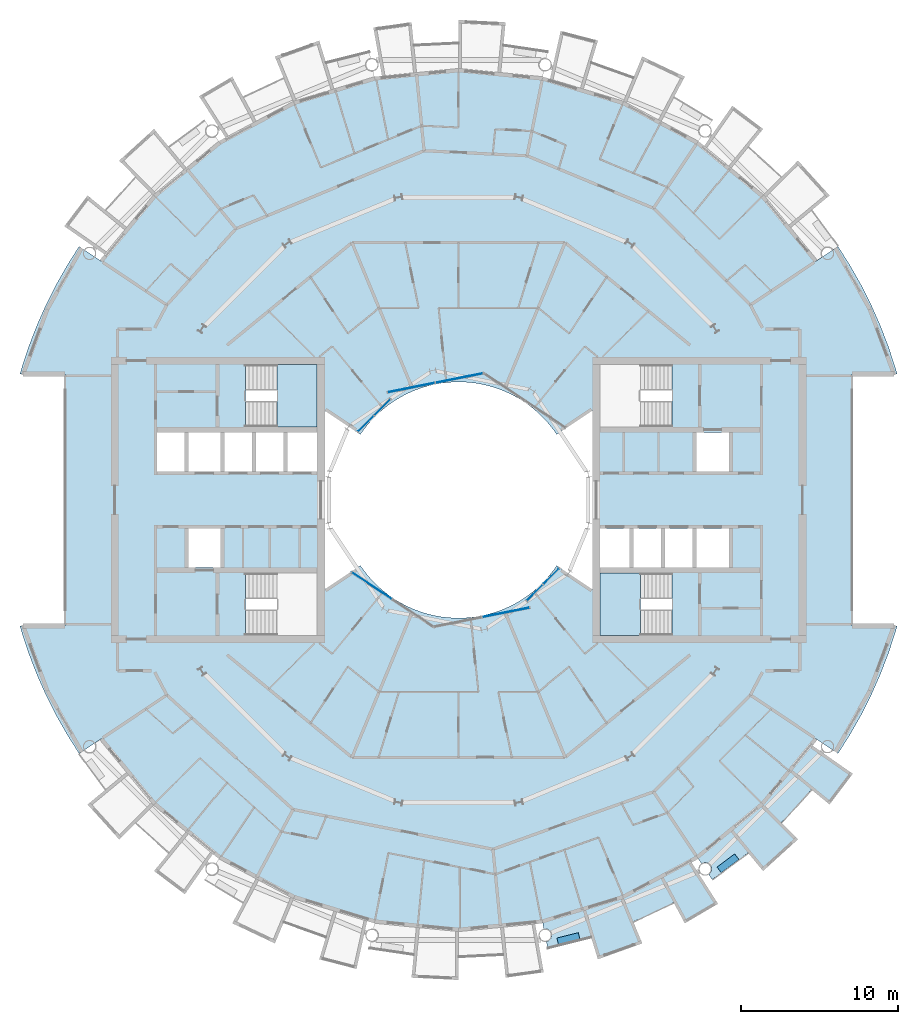
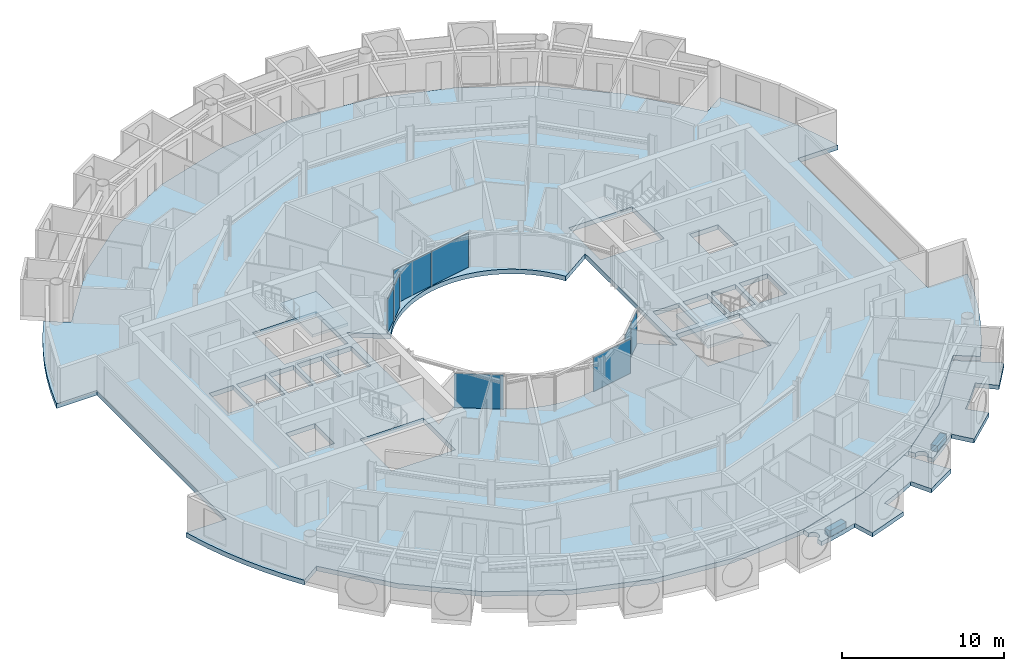
# One storey, part 11 of 28: 8 plates, 7 slabs, 7 elements without a shape of their own.
"""IFC4 building model written with IfcOpenShell, lengths in metres."""

from ifc_helpers import new_model, si_unit, direction, frame, origin, origin_2d, place, context, subcontext, project, spatial, polyline, rectangle, outline, extrude, material, layer, layer_set, type_object, element, aggregate, save


model = new_model("IFC4")

# Units and contexts
model_context = context("Model", 3, precision=1e-05, world=origin(), true_north=direction((0.0, 1.0)))
body_context = subcontext(model_context, "Body", "Model", "MODEL_VIEW")
ifc_project = project(units=[si_unit("LENGTHUNIT", "METRE"), si_unit("AREAUNIT", "SQUARE_METRE"), si_unit("VOLUMEUNIT", "CUBIC_METRE"), si_unit("PLANEANGLEUNIT", "RADIAN"), si_unit("MASSUNIT", "GRAM", prefix="KILO")], contexts=[model_context])

# Site, building, storey
site_placement = place(None, origin())
site = spatial("IfcSite", under=ifc_project, at=site_placement, CompositionType="ELEMENT")
building_placement = place(site_placement, origin())
building = spatial("IfcBuilding", under=site, at=building_placement, Name="Maasbend Ring Residences", CompositionType="ELEMENT")
storey_placement = place(building_placement, frame((0.0, 0.0, 173.800048828125)))
storey = spatial("IfcBuildingStorey", under=building, at=storey_placement, Name="L50", CompositionType="ELEMENT", Elevation=173.800048828125)

# Stair, slab
ifc_material_1 = material(Name="Concrete C40/50", Category="concrete")
stair_type = type_object("IfcStairType", Name="CORE STAIR 18 RISERS", PredefinedType="HALF_TURN_STAIR", material=ifc_material_1)
stair_1_placement = place(storey_placement, origin())
stair_1 = element("IfcStair", 1, at=stair_1_placement, inside=storey, type_object=stair_type, Name="L50 Exit stair ST-E2", PredefinedType="HALF_TURN_STAIR")
ifc_material_2 = material(Name="Concrete C40/50", Category="concrete")
ifc_layer_1 = layer(ifc_material_2, 0.199951171875)
ifc_layer_set_1 = layer_set([ifc_layer_1], Name="Concrete C40/50")
slab_type_1 = type_object("IfcSlabType", Name="CORE STAIR LANDING 200", PredefinedType="LANDING", material=ifc_layer_set_1)
slab_1_placement = place(storey_placement, frame((0.0, 0.0, 1.324951171875)))
slab_1 = element("IfcSlab", 2, at=slab_1_placement, type_object=slab_type_1, Name="ST-E2 landing 1", PredefinedType="LANDING", context=body_context, shape_type="SweptSolid", body=[
    extrude(outline(polyline([(11.550048828125, -4.64990234375), (9.0, -4.64990234375), (9.0, -8.60009765625), (11.550048828125, -8.60009765625), (11.550048828125, -4.64990234375)])), origin(), (0.0, 0.0, 1.0), 0.199951171875),
])
aggregate(stair_1, [slab_1])

stair_2_placement = place(storey_placement, origin())
stair_2 = element("IfcStair", 3, at=stair_2_placement, inside=storey, type_object=stair_type, Name="L50 Exit stair ST-W2", PredefinedType="HALF_TURN_STAIR")
slab_2_placement = place(storey_placement, frame((0.0, 0.0, 1.324951171875)))
slab_2 = element("IfcSlab", 4, at=slab_2_placement, type_object=slab_type_1, Name="ST-W2 landing 1", PredefinedType="LANDING", context=body_context, shape_type="SweptSolid", body=[
    extrude(outline(polyline([(-11.550048828125, 4.64990234375), (-9.0, 4.64990234375), (-9.0, 8.60009765625), (-11.550048828125, 8.60009765625), (-11.550048828125, 4.64990234375)])), origin(), (0.0, 0.0, 1.0), 0.199951171875),
])
aggregate(stair_2, [slab_2])

# Curtain wall, plates
ifc_material_3 = material(Name="Aluminium and clear glass", Category="aluminium")
ifc_layer_2 = layer(ifc_material_3, 0.179931640625)
ifc_layer_set_2 = layer_set([ifc_layer_2], Name="CW-W")
curtain_wall_type = type_object("IfcCurtainWallType", Name="CW-W", PredefinedType="NOTDEFINED", material=ifc_layer_set_2)
curtain_wall_1_placement = place(storey_placement, origin())
curtain_wall_1 = element("IfcCurtainWall", 5, at=curtain_wall_1_placement, inside=storey, type_object=curtain_wall_type, Name="Well curtain wall N2", PredefinedType="NOTDEFINED")
ifc_material_4 = material(Name="Glass clear laminated", Category="glass")
ifc_layer_3 = layer(ifc_material_4, 0.031982421875)
ifc_layer_set_3 = layer_set([ifc_layer_3], Name="CWP-W")
plate_type = type_object("IfcPlateType", Name="CWP-W", PredefinedType="CURTAIN_PANEL", material=ifc_layer_set_3)
plate_1_placement = place(storey_placement, frame((0.04638671875, 7.747802734375, 0.0), z_axis=(0.0, 0.0, 1.0), x_axis=(-0.980785280403, -0.195090322016, 0.0)))
plate_1 = element("IfcPlate", 6, at=plate_1_placement, type_object=plate_type, Name="Glass panel well face", PredefinedType="CURTAIN_PANEL", context=body_context, shape_type="SweptSolid", body=[
    extrude(rectangle(XDim=3.053955078125, YDim=0.031982421875, at=origin_2d()), origin(), (0.0, 0.0, 1.0), 2.580078125),
])
plate_2_placement = place(storey_placement, frame((-3.0078125, 7.140380859375, 0.0), z_axis=(0.0, 0.0, 1.0), x_axis=(-0.980785280403, -0.195090322016, 0.0)))
plate_2 = element("IfcPlate", 7, at=plate_2_placement, type_object=plate_type, Name="Glass panel well face", PredefinedType="CURTAIN_PANEL", context=body_context, shape_type="SweptSolid", body=[
    extrude(rectangle(XDim=3.053955078125, YDim=0.031982421875, at=origin_2d()), origin(), (0.0, 0.0, 1.0), 2.580078125),
])
aggregate(curtain_wall_1, [plate_1, plate_2])

curtain_wall_2_placement = place(storey_placement, origin())
curtain_wall_2 = element("IfcCurtainWall", 8, at=curtain_wall_2_placement, inside=storey, type_object=curtain_wall_type, Name="Well curtain wall N3", PredefinedType="NOTDEFINED")
plate_3_placement = place(storey_placement, frame((-4.84375, 5.89013671875, 0.0), z_axis=(0.0, 0.0, 1.0), x_axis=(-0.707106781187, -0.707106781187, 0.0)))
plate_3 = element("IfcPlate", 9, at=plate_3_placement, type_object=plate_type, Name="Glass panel well face", PredefinedType="CURTAIN_PANEL", context=body_context, shape_type="SweptSolid", body=[
    extrude(rectangle(XDim=1.419677734375, YDim=0.031982421875, at=origin_2d()), origin(), (0.0, 0.0, 1.0), 2.580078125),
])
plate_4_placement = place(storey_placement, frame((-5.89013671875, 4.84375, 0.0), z_axis=(0.0, 0.0, 1.0), x_axis=(-0.707106781187, -0.707106781187, 0.0)))
plate_4 = element("IfcPlate", 10, at=plate_4_placement, type_object=plate_type, Name="Glass panel well face", PredefinedType="CURTAIN_PANEL", context=body_context, shape_type="SweptSolid", body=[
    extrude(rectangle(XDim=1.419677734375, YDim=0.031982421875, at=origin_2d()), origin(), (0.0, 0.0, 1.0), 2.580078125),
])
aggregate(curtain_wall_2, [plate_3, plate_4])

# Curtain wall, plate
curtain_wall_3_placement = place(storey_placement, origin())
curtain_wall_3 = element("IfcCurtainWall", 11, at=curtain_wall_3_placement, inside=storey, type_object=curtain_wall_type, Name="Well curtain wall S1", PredefinedType="NOTDEFINED")
plate_5_placement = place(storey_placement, frame((-5.51123046875, -5.44580078125, 0.0), z_axis=(0.0, 0.0, 1.0), x_axis=(0.831469612303, -0.55557023302, 0.0)))
plate_5 = element("IfcPlate", 12, at=plate_5_placement, type_object=plate_type, Name="Glass panel well face", PredefinedType="CURTAIN_PANEL", context=body_context, shape_type="SweptSolid", body=[
    extrude(rectangle(XDim=3.053955078125, YDim=0.031982421875, at=origin_2d()), origin(), (0.0, 0.0, 1.0), 2.580078125),
])
aggregate(curtain_wall_3, [plate_5])

curtain_wall_4_placement = place(storey_placement, origin())
curtain_wall_4 = element("IfcCurtainWall", 13, at=curtain_wall_4_placement, inside=storey, type_object=curtain_wall_type, Name="Well curtain wall S2", PredefinedType="NOTDEFINED")
plate_6_placement = place(storey_placement, frame((3.0078125, -7.140380859375, 0.0), z_axis=(0.0, 0.0, 1.0), x_axis=(0.980785280403, 0.195090322016, 0.0)))
plate_6 = element("IfcPlate", 14, at=plate_6_placement, type_object=plate_type, Name="Glass panel well face", PredefinedType="CURTAIN_PANEL", context=body_context, shape_type="SweptSolid", body=[
    extrude(rectangle(XDim=3.053955078125, YDim=0.031982421875, at=origin_2d()), origin(), (0.0, 0.0, 1.0), 2.580078125),
])
aggregate(curtain_wall_4, [plate_6])

# Curtain wall, plates
curtain_wall_5_placement = place(storey_placement, origin())
curtain_wall_5 = element("IfcCurtainWall", 15, at=curtain_wall_5_placement, inside=storey, type_object=curtain_wall_type, Name="Well curtain wall S3", PredefinedType="NOTDEFINED")
plate_7_placement = place(storey_placement, frame((4.84375, -5.89013671875, 0.0), z_axis=(0.0, 0.0, 1.0), x_axis=(0.707106781187, 0.707106781187, 0.0)))
plate_7 = element("IfcPlate", 16, at=plate_7_placement, type_object=plate_type, Name="Glass panel well face", PredefinedType="CURTAIN_PANEL", context=body_context, shape_type="SweptSolid", body=[
    extrude(rectangle(XDim=1.419677734375, YDim=0.031982421875, at=origin_2d()), origin(), (0.0, 0.0, 1.0), 2.580078125),
])
plate_8_placement = place(storey_placement, frame((5.89013671875, -4.84375, 0.0), z_axis=(0.0, 0.0, 1.0), x_axis=(0.707106781187, 0.707106781187, 0.0)))
plate_8 = element("IfcPlate", 17, at=plate_8_placement, type_object=plate_type, Name="Glass panel well face", PredefinedType="CURTAIN_PANEL", context=body_context, shape_type="SweptSolid", body=[
    extrude(rectangle(XDim=1.419677734375, YDim=0.031982421875, at=origin_2d()), origin(), (0.0, 0.0, 1.0), 2.580078125),
])
aggregate(curtain_wall_5, [plate_7, plate_8])

# Slabs
ifc_material_5 = material(Name="Planting with climbing greenery")
ifc_layer_4 = layer(ifc_material_5, 0.449951171875)
ifc_layer_set_4 = layer_set([ifc_layer_4], Name="PLANTER-LG")
slab_type_2 = type_object("IfcSlabType", Name="PLANTER-LG", PredefinedType="USERDEFINED", material=ifc_layer_set_4)
slab_3_placement = place(storey_placement, frame((0.0, 0.0, -0.030029296875)))
element("IfcSlab", 18, at=slab_3_placement, inside=storey, type_object=slab_type_2, Name="Planter with climbing greenery 4", ObjectType="PLANTER", PredefinedType="USERDEFINED", context=body_context, shape_type="SweptSolid", body=[
    extrude(outline(polyline([(6.35888671875, -28.26708984375), (7.717041015625, -27.927001953125), (7.60791015625, -27.489990234375), (6.25, -27.8310546875), (6.35888671875, -28.26708984375)])), origin(), (0.0, 0.0, 1.0), 0.449951171875),
])
slab_4_placement = place(storey_placement, frame((0.0, 0.0, -0.030029296875)))
element("IfcSlab", 19, at=slab_4_placement, inside=storey, type_object=slab_type_2, Name="Planter with climbing greenery 5", ObjectType="PLANTER", PredefinedType="USERDEFINED", context=body_context, shape_type="SweptSolid", body=[
    extrude(outline(polyline([(16.69189453125, -23.681884765625), (17.81689453125, -22.847900390625), (17.549072265625, -22.487060546875), (16.424072265625, -23.321044921875), (16.69189453125, -23.681884765625)])), origin(), (0.0, 0.0, 1.0), 0.449951171875),
])
ifc_material_6 = material(Name="Concrete C40/50", Category="concrete")
ifc_layer_5 = layer(ifc_material_6, 0.35009765625)
ifc_layer_set_5 = layer_set([ifc_layer_5], Name="Concrete C40/50")
slab_type_3 = type_object("IfcSlabType", Name="Post-tensioned flat plate 350", PredefinedType="FLOOR", material=ifc_layer_set_5)
slab_5_placement = place(storey_placement, frame((0.0, 0.0, -0.35009765625)))
element("IfcSlab", 20, at=slab_5_placement, inside=storey, type_object=slab_type_3, Name="Floor slab L50", PredefinedType="FLOOR", context=body_context, shape_type="SweptSolid", body=[
    extrude(outline(polyline([(24.8740234375, -14.908935546875), (25.57568359375, -13.67041015625), (26.2158203125, -12.399169921875), (26.79248046875, -11.097900390625), (27.3046875, -9.769775390625), (27.751220703125, -8.418212890625), (27.866943359375, -8.0), (25.0, -8.0), (25.0, 8.0), (27.866943359375, 8.0), (27.751220703125, 8.418212890625), (27.3046875, 9.769775390625), (26.79248046875, 11.097900390625), (26.2158203125, 12.399169921875), (25.57568359375, 13.67041015625), (24.8740234375, 14.908935546875), (24.112548828125, 16.111572265625), (22.69921875, 15.1669921875), (19.303955078125, 19.303955078125), (15.1669921875, 22.69921875), (10.447265625, 25.221923828125), (5.325927734375, 26.775390625), (0.0, 27.300048828125), (-5.325927734375, 26.775390625), (-10.447265625, 25.221923828125), (-15.1669921875, 22.69921875), (-19.303955078125, 19.303955078125), (-22.69921875, 15.1669921875), (-24.112548828125, 16.111572265625), (-24.8740234375, 14.908935546875), (-25.57568359375, 13.67041015625), (-26.2158203125, 12.399169921875), (-26.79248046875, 11.097900390625), (-27.3046875, 9.769775390625), (-27.751220703125, 8.418212890625), (-27.866943359375, 8.0), (-25.0, 8.0), (-25.0, -8.0), (-27.866943359375, -8.0), (-27.751220703125, -8.418212890625), (-27.3046875, -9.769775390625), (-26.79248046875, -11.097900390625), (-26.2158203125, -12.399169921875), (-25.57568359375, -13.67041015625), (-24.8740234375, -14.908935546875), (-24.112548828125, -16.111572265625), (-22.69921875, -15.1669921875), (-19.303955078125, -19.303955078125), (-15.1669921875, -22.69921875), (-10.447265625, -25.221923828125), (-5.325927734375, -26.775390625), (0.0, -27.300048828125), (5.325927734375, -26.775390625), (10.447265625, -25.221923828125), (15.1669921875, -22.69921875), (19.303955078125, -19.303955078125), (22.69921875, -15.1669921875), (24.112548828125, -16.111572265625), (24.8740234375, -14.908935546875)]), holes=[polyline([(15.125, 1.824951171875), (15.125, 4.27490234375), (17.175048828125, 4.27490234375), (17.175048828125, 1.824951171875), (15.125, 1.824951171875)]), polyline([(15.125, -4.27490234375), (15.125, -1.824951171875), (17.175048828125, -1.824951171875), (17.175048828125, -4.27490234375), (15.125, -4.27490234375)]), polyline([(13.125, -4.27490234375), (13.125, -1.824951171875), (14.875, -1.824951171875), (14.875, -4.27490234375), (13.125, -4.27490234375)]), polyline([(13.550048828125, 8.60009765625), (13.550048828125, 4.64990234375), (9.0, 4.64990234375), (9.0, 8.60009765625), (13.550048828125, 8.60009765625)]), polyline([(13.550048828125, -4.64990234375), (13.550048828125, -8.60009765625), (9.0, -8.60009765625), (9.0, -4.64990234375), (13.550048828125, -4.64990234375)]), polyline([(11.125, -4.27490234375), (11.125, -1.824951171875), (12.875, -1.824951171875), (12.875, -4.27490234375), (11.125, -4.27490234375)]), polyline([(9.0, -4.27490234375), (9.0, -1.824951171875), (10.875, -1.824951171875), (10.875, -4.27490234375), (9.0, -4.27490234375)]), polyline([(6.024169921875, 4.4677734375), (6.236083984375, 4.166748046875), (8.5, 5.679443359375), (8.5, -5.679443359375), (6.236083984375, -4.166748046875), (6.024169921875, -4.4677734375), (5.797607421875, -4.7578125), (5.55712890625, -5.03662109375), (5.30322265625, -5.30322265625), (5.03662109375, -5.55712890625), (4.7578125, -5.797607421875), (4.4677734375, -6.024169921875), (4.166748046875, -6.236083984375), (3.855712890625, -6.43310546875), (3.535400390625, -6.614501953125), (3.206787109375, -6.77978515625), (2.8701171875, -6.92919921875), (2.526611328125, -7.0615234375), (2.177001953125, -7.177001953125), (1.822509765625, -7.275146484375), (1.463134765625, -7.35595703125), (1.1005859375, -7.418701171875), (0.735107421875, -7.4638671875), (0.367919921875, -7.490966796875), (0.0, -7.5), (-0.367919921875, -7.490966796875), (-0.735107421875, -7.4638671875), (-1.1005859375, -7.418701171875), (-1.463134765625, -7.35595703125), (-1.822509765625, -7.275146484375), (-2.177001953125, -7.177001953125), (-2.526611328125, -7.0615234375), (-2.8701171875, -6.92919921875), (-3.206787109375, -6.77978515625), (-3.535400390625, -6.614501953125), (-3.855712890625, -6.43310546875), (-4.166748046875, -6.236083984375), (-4.4677734375, -6.024169921875), (-4.7578125, -5.797607421875), (-5.03662109375, -5.55712890625), (-5.30322265625, -5.30322265625), (-5.55712890625, -5.03662109375), (-5.797607421875, -4.7578125), (-6.024169921875, -4.4677734375), (-6.236083984375, -4.166748046875), (-8.5, -5.679443359375), (-8.5, 5.679443359375), (-6.236083984375, 4.166748046875), (-6.024169921875, 4.4677734375), (-5.797607421875, 4.7578125), (-5.55712890625, 5.03662109375), (-5.30322265625, 5.30322265625), (-5.03662109375, 5.55712890625), (-4.7578125, 5.797607421875), (-4.4677734375, 6.024169921875), (-4.166748046875, 6.236083984375), (-3.855712890625, 6.43310546875), (-3.535400390625, 6.614501953125), (-3.206787109375, 6.77978515625), (-2.8701171875, 6.92919921875), (-2.526611328125, 7.0615234375), (-2.177001953125, 7.177001953125), (-1.822509765625, 7.275146484375), (-1.463134765625, 7.35595703125), (-1.1005859375, 7.418701171875), (-0.735107421875, 7.4638671875), (-0.367919921875, 7.490966796875), (0.0, 7.5), (0.367919921875, 7.490966796875), (0.735107421875, 7.4638671875), (1.1005859375, 7.418701171875), (1.463134765625, 7.35595703125), (1.822509765625, 7.275146484375), (2.177001953125, 7.177001953125), (2.526611328125, 7.0615234375), (2.8701171875, 6.92919921875), (3.206787109375, 6.77978515625), (3.535400390625, 6.614501953125), (3.855712890625, 6.43310546875), (4.166748046875, 6.236083984375), (4.4677734375, 6.024169921875), (4.7578125, 5.797607421875), (5.03662109375, 5.55712890625), (5.30322265625, 5.30322265625), (5.55712890625, 5.03662109375), (5.797607421875, 4.7578125), (6.024169921875, 4.4677734375)]), polyline([(-13.550048828125, 4.64990234375), (-13.550048828125, 8.60009765625), (-9.0, 8.60009765625), (-9.0, 4.64990234375), (-13.550048828125, 4.64990234375)]), polyline([(-9.0, -8.60009765625), (-13.550048828125, -8.60009765625), (-13.550048828125, -4.64990234375), (-9.0, -4.64990234375), (-9.0, -8.60009765625)]), polyline([(-9.0, 4.27490234375), (-9.0, 1.824951171875), (-10.875, 1.824951171875), (-10.875, 4.27490234375), (-9.0, 4.27490234375)]), polyline([(-11.125, 4.27490234375), (-11.125, 1.824951171875), (-12.875, 1.824951171875), (-12.875, 4.27490234375), (-11.125, 4.27490234375)]), polyline([(-13.125, 4.27490234375), (-13.125, 1.824951171875), (-14.875, 1.824951171875), (-14.875, 4.27490234375), (-13.125, 4.27490234375)]), polyline([(-15.125, 4.27490234375), (-15.125, 1.824951171875), (-17.175048828125, 1.824951171875), (-17.175048828125, 4.27490234375), (-15.125, 4.27490234375)]), polyline([(-15.125, -1.824951171875), (-15.125, -4.27490234375), (-17.175048828125, -4.27490234375), (-17.175048828125, -1.824951171875), (-15.125, -1.824951171875)]), polyline([(-17.425048828125, 4.27490234375), (-17.425048828125, 1.824951171875), (-19.14990234375, 1.824951171875), (-19.14990234375, 4.27490234375), (-17.425048828125, 4.27490234375)])]), origin(), (0.0, 0.0, 1.0), 0.35009765625),
])
ifc_material_7 = material(Name="Concrete C40/50", Category="concrete")
ifc_layer_6 = layer(ifc_material_7, 0.199951171875)
ifc_layer_set_6 = layer_set([ifc_layer_6], Name="Concrete C40/50")
slab_type_4 = type_object("IfcSlabType", Name="SL-LOGGIA", PredefinedType="FLOOR", material=ifc_layer_set_6)
slab_6_placement = place(storey_placement, frame((0.0, 0.0, -0.35009765625)))
element("IfcSlab", 21, at=slab_6_placement, inside=storey, type_object=slab_type_4, Name="Loggia floor 2", PredefinedType="FLOOR", context=body_context, shape_type="SweptSolid", body=[
    extrude(outline(polyline([(10.447021484375, -25.221923828125), (12.806884765625, -23.9609375), (14.73291015625, -22.930908203125), (14.73291015625, -22.930908203125), (14.73291015625, -22.930908203125), (16.487060546875, -25.659912109375), (16.487060546875, -25.659912109375), (16.487060546875, -25.659912109375), (14.3779296875, -26.89892578125), (14.3779296875, -26.89892578125), (14.3779296875, -26.89892578125), (13.6708984375, -25.575927734375), (13.6708984375, -25.575927734375), (13.6708984375, -25.575927734375), (13.6708984375, -25.575927734375), (13.6708984375, -25.575927734375), (13.6708984375, -25.575927734375), (13.6708984375, -25.575927734375), (13.669921875, -25.575927734375), (13.669921875, -25.575927734375), (13.669921875, -25.575927734375), (13.669921875, -25.575927734375), (13.669921875, -25.575927734375), (13.669921875, -25.575927734375), (13.669921875, -25.575927734375), (13.669921875, -25.575927734375), (13.669921875, -25.575927734375), (13.669921875, -25.575927734375), (12.825927734375, -26.009033203125), (12.825927734375, -26.009033203125), (11.968994140625, -26.4150390625), (11.968994140625, -26.4150390625), (11.097900390625, -26.7919921875), (11.097900390625, -26.7919921875), (11.097900390625, -26.7919921875), (11.097900390625, -26.7919921875), (11.097900390625, -26.7919921875), (11.097900390625, -26.7919921875), (11.097900390625, -26.7919921875), (11.097900390625, -26.79296875), (11.097900390625, -26.79296875), (11.097900390625, -26.79296875), (11.097900390625, -26.79296875), (11.097900390625, -26.79296875), (11.097900390625, -26.79296875), (11.097900390625, -26.79296875), (11.097900390625, -26.79296875), (11.097900390625, -26.79296875), (11.097900390625, -26.79296875), (11.672119140625, -28.177978515625), (11.672119140625, -28.177978515625), (11.672119140625, -28.177978515625), (8.85400390625, -29.18701171875), (8.85400390625, -29.18701171875), (8.85400390625, -29.18701171875), (8.41796875, -27.751953125), (8.41796875, -27.751953125), (8.41796875, -27.751953125), (8.41796875, -27.751953125), (8.41796875, -27.751953125), (8.41796875, -27.751953125), (8.41796875, -27.751953125), (8.41796875, -27.7509765625), (8.41796875, -27.7509765625), (8.41796875, -27.7509765625), (8.41796875, -27.7509765625), (8.41796875, -27.7509765625), (8.41796875, -27.7509765625), (8.41796875, -27.7509765625), (8.41796875, -27.7509765625), (8.41796875, -27.7509765625), (8.41796875, -27.7509765625), (7.506103515625, -28.011962890625), (7.506103515625, -28.011962890625), (6.5849609375, -28.241943359375), (6.5849609375, -28.241943359375), (5.657958984375, -28.443115234375), (5.657958984375, -28.443115234375), (5.657958984375, -28.443115234375), (5.5810546875, -28.056884765625), (5.591064453125, -28.054931640625), (5.60009765625, -28.052001953125), (5.610107421875, -28.050048828125), (5.6201171875, -28.047119140625), (5.62890625, -28.0439453125), (5.637939453125, -28.041015625), (5.64794921875, -28.037109375), (5.656982421875, -28.033935546875), (5.666015625, -28.030029296875), (5.675048828125, -28.02587890625), (5.68408203125, -28.02099609375), (5.693115234375, -28.01708984375), (5.701904296875, -28.011962890625), (5.7099609375, -28.007080078125), (5.718994140625, -28.001953125), (5.72705078125, -27.99609375), (5.736083984375, -27.989990234375), (5.743896484375, -27.985107421875), (5.751953125, -27.97900390625), (5.759033203125, -27.971923828125), (5.76708984375, -27.966064453125), (5.77392578125, -27.958984375), (5.781982421875, -27.952880859375), (5.7890625, -27.946044921875), (5.7958984375, -27.93798828125), (5.802978515625, -27.930908203125), (5.80908203125, -27.924072265625), (5.81591796875, -27.916015625), (5.822021484375, -27.907958984375), (5.827880859375, -27.89990234375), (5.833984375, -27.89208984375), (5.839111328125, -27.884033203125), (5.844970703125, -27.8759765625), (5.85009765625, -27.866943359375), (5.85498046875, -27.85791015625), (5.860107421875, -27.85009765625), (5.864990234375, -27.841064453125), (5.868896484375, -27.83203125), (5.873046875, -27.822998046875), (5.876953125, -27.81396484375), (5.881103515625, -27.803955078125), (5.884033203125, -27.794921875), (5.886962890625, -27.785888671875), (5.889892578125, -27.77587890625), (5.89306640625, -27.76708984375), (5.89599609375, -27.757080078125), (5.89794921875, -27.7470703125), (5.89990234375, -27.737060546875), (5.902099609375, -27.72802734375), (5.904052734375, -27.718017578125), (5.905029296875, -27.7080078125), (5.906005859375, -27.697998046875), (5.906982421875, -27.68798828125), (5.907958984375, -27.677978515625), (5.907958984375, -27.66796875), (5.907958984375, -27.657958984375), (5.907958984375, -27.64794921875), (5.907958984375, -27.637939453125), (5.906982421875, -27.6279296875), (5.906005859375, -27.617919921875), (5.905029296875, -27.60791015625), (5.904052734375, -27.597900390625), (5.902099609375, -27.589111328125), (5.89990234375, -27.5791015625), (5.89794921875, -27.569091796875), (5.89599609375, -27.55908203125), (5.89306640625, -27.550048828125), (5.889892578125, -27.5400390625), (5.886962890625, -27.531005859375), (5.884033203125, -27.52099609375), (5.881103515625, -27.511962890625), (5.876953125, -27.5029296875), (5.873046875, -27.492919921875), (5.868896484375, -27.48388671875), (5.864990234375, -27.47509765625), (5.860107421875, -27.466064453125), (5.85498046875, -27.4580078125), (5.85009765625, -27.448974609375), (5.844970703125, -27.44091796875), (5.839111328125, -27.431884765625), (5.833984375, -27.424072265625), (5.827880859375, -27.416015625), (5.822021484375, -27.407958984375), (5.81591796875, -27.39990234375), (5.80908203125, -27.39306640625), (5.802978515625, -27.385009765625), (5.7958984375, -27.3779296875), (5.7890625, -27.37109375), (5.781982421875, -27.364013671875), (5.77392578125, -27.35693359375), (5.76708984375, -27.35009765625), (5.759033203125, -27.343994140625), (5.751953125, -27.337890625), (5.743896484375, -27.33203125), (5.736083984375, -27.325927734375), (5.72705078125, -27.320068359375), (5.718994140625, -27.31494140625), (5.7099609375, -27.30908203125), (5.701904296875, -27.303955078125), (5.693115234375, -27.300048828125), (5.68408203125, -27.294921875), (5.675048828125, -27.291015625), (5.666015625, -27.285888671875), (5.656982421875, -27.282958984375), (5.64794921875, -27.279052734375), (5.637939453125, -27.27490234375), (5.62890625, -27.27197265625), (5.6201171875, -27.26904296875), (5.610107421875, -27.26611328125), (5.60009765625, -27.263916015625), (5.591064453125, -27.260986328125), (5.5810546875, -27.259033203125), (5.571044921875, -27.258056640625), (5.56103515625, -27.256103515625), (5.551025390625, -27.2548828125), (5.541015625, -27.25390625), (5.531005859375, -27.2529296875), (5.52099609375, -27.251953125), (5.510986328125, -27.251953125), (5.501953125, -27.251953125), (5.491943359375, -27.251953125), (5.48193359375, -27.251953125), (5.471923828125, -27.2529296875), (5.4619140625, -27.25390625), (5.451904296875, -27.2548828125), (5.44189453125, -27.256103515625), (5.431884765625, -27.258056640625), (5.422119140625, -27.259033203125), (5.325927734375, -26.77490234375), (5.325927734375, -26.77490234375), (5.325927734375, -26.77490234375), (7.886962890625, -25.9990234375), (10.447021484375, -25.221923828125), (10.447021484375, -25.221923828125), (10.447021484375, -25.221923828125)])), origin(), (0.0, 0.0, 1.0), 0.320068359375),
])
slab_7_placement = place(storey_placement, frame((0.0, 0.0, -0.35009765625)))
element("IfcSlab", 22, at=slab_7_placement, inside=storey, type_object=slab_type_4, Name="Loggia floor 5", PredefinedType="FLOOR", context=body_context, shape_type="SweptSolid", body=[
    extrude(outline(polyline([(19.303955078125, -19.303955078125), (21.001953125, -17.236083984375), (22.386962890625, -15.547119140625), (22.386962890625, -15.547119140625), (22.386962890625, -15.547119140625), (25.051025390625, -17.39794921875), (25.051025390625, -17.39794921875), (25.051025390625, -17.39794921875), (23.576904296875, -19.34912109375), (23.576904296875, -19.34912109375), (23.576904296875, -19.34912109375), (22.41796875, -18.39794921875), (22.41796875, -18.39794921875), (22.41796875, -18.39794921875), (22.41796875, -18.39794921875), (22.41796875, -18.39794921875), (22.4169921875, -18.39794921875), (22.4169921875, -18.39794921875), (22.4169921875, -18.39794921875), (22.4169921875, -18.39794921875), (22.4169921875, -18.39794921875), (22.4169921875, -18.39794921875), (22.4169921875, -18.39794921875), (22.4169921875, -18.39794921875), (22.4169921875, -18.39794921875), (22.4169921875, -18.39794921875), (22.4169921875, -18.39794921875), (22.4169921875, -18.39794921875), (21.802978515625, -19.12109375), (21.802978515625, -19.12109375), (21.166015625, -19.823974609375), (21.166015625, -19.823974609375), (20.506103515625, -20.506103515625), (20.506103515625, -20.506103515625), (20.506103515625, -20.506103515625), (20.506103515625, -20.506103515625), (20.506103515625, -20.506103515625), (20.506103515625, -20.506103515625), (20.506103515625, -20.506103515625), (20.506103515625, -20.506103515625), (20.506103515625, -20.506103515625), (20.506103515625, -20.506103515625), (20.506103515625, -20.506103515625), (20.506103515625, -20.506103515625), (20.506103515625, -20.506103515625), (20.506103515625, -20.506103515625), (20.506103515625, -20.506103515625), (20.506103515625, -20.506103515625), (20.506103515625, -20.506103515625), (21.56689453125, -21.56689453125), (21.56689453125, -21.56689453125), (21.56689453125, -21.56689453125), (19.34912109375, -23.576904296875), (19.34912109375, -23.576904296875), (19.34912109375, -23.576904296875), (18.39794921875, -22.41796875), (18.39794921875, -22.41796875), (18.39794921875, -22.41796875), (18.39794921875, -22.41796875), (18.39794921875, -22.41796875), (18.39794921875, -22.41796875), (18.39697265625, -22.41796875), (18.39697265625, -22.41796875), (18.39697265625, -22.41796875), (18.39697265625, -22.41796875), (18.39697265625, -22.41796875), (18.39697265625, -22.41796875), (18.39697265625, -22.41796875), (18.39697265625, -22.41796875), (18.39697265625, -22.41796875), (18.39697265625, -22.41796875), (18.39697265625, -22.41796875), (17.654052734375, -23.007080078125), (17.654052734375, -23.007080078125), (16.89208984375, -23.572998046875), (16.89208984375, -23.572998046875), (16.112060546875, -24.113037109375), (16.112060546875, -24.113037109375), (16.112060546875, -24.113037109375), (15.89306640625, -23.784912109375), (15.89306640625, -23.784912109375), (15.90087890625, -23.780029296875), (15.908935546875, -23.77392578125), (15.9169921875, -23.76806640625), (15.925048828125, -23.761962890625), (15.93310546875, -23.7548828125), (15.93994140625, -23.7490234375), (15.947021484375, -23.741943359375), (15.955078125, -23.735107421875), (15.9619140625, -23.72802734375), (15.968017578125, -23.719970703125), (15.97509765625, -23.712890625), (15.98095703125, -23.705078125), (15.988037109375, -23.697021484375), (15.993896484375, -23.68994140625), (15.9990234375, -23.680908203125), (16.0048828125, -23.673095703125), (16.010986328125, -23.6650390625), (16.01611328125, -23.656005859375), (16.02099609375, -23.64794921875), (16.02587890625, -23.638916015625), (16.030029296875, -23.6298828125), (16.034912109375, -23.62109375), (16.0390625, -23.612060546875), (16.04296875, -23.60302734375), (16.0458984375, -23.593994140625), (16.050048828125, -23.583984375), (16.052978515625, -23.574951171875), (16.055908203125, -23.56494140625), (16.05908203125, -23.555908203125), (16.06103515625, -23.5458984375), (16.06396484375, -23.535888671875), (16.06591796875, -23.527099609375), (16.068115234375, -23.51708984375), (16.069091796875, -23.507080078125), (16.071044921875, -23.4970703125), (16.072021484375, -23.487060546875), (16.072021484375, -23.47705078125), (16.072998046875, -23.467041015625), (16.072998046875, -23.45703125), (16.073974609375, -23.447021484375), (16.072998046875, -23.43701171875), (16.072998046875, -23.427001953125), (16.072021484375, -23.4169921875), (16.072021484375, -23.407958984375), (16.071044921875, -23.39794921875), (16.069091796875, -23.387939453125), (16.068115234375, -23.3779296875), (16.06591796875, -23.367919921875), (16.06396484375, -23.35791015625), (16.06103515625, -23.34912109375), (16.05908203125, -23.339111328125), (16.055908203125, -23.3291015625), (16.052978515625, -23.320068359375), (16.050048828125, -23.31005859375), (16.0458984375, -23.301025390625), (16.04296875, -23.2919921875), (16.0390625, -23.282958984375), (16.034912109375, -23.27392578125), (16.030029296875, -23.264892578125), (16.02587890625, -23.256103515625), (16.02099609375, -23.2470703125), (16.01611328125, -23.238037109375), (16.010986328125, -23.22998046875), (16.0048828125, -23.221923828125), (15.9990234375, -23.212890625), (15.993896484375, -23.205078125), (15.988037109375, -23.197021484375), (15.98095703125, -23.18994140625), (15.97509765625, -23.181884765625), (15.968017578125, -23.174072265625), (15.9619140625, -23.1669921875), (15.955078125, -23.159912109375), (15.947021484375, -23.153076171875), (15.93994140625, -23.14599609375), (15.93310546875, -23.139892578125), (15.925048828125, -23.133056640625), (15.9169921875, -23.126953125), (15.908935546875, -23.12109375), (15.90087890625, -23.114990234375), (15.89306640625, -23.10888671875), (15.885009765625, -23.10400390625), (15.8759765625, -23.09912109375), (15.866943359375, -23.093994140625), (15.85888671875, -23.089111328125), (15.85009765625, -23.083984375), (15.841064453125, -23.080078125), (15.83203125, -23.075927734375), (15.822998046875, -23.072021484375), (15.81298828125, -23.068115234375), (15.803955078125, -23.06494140625), (15.794921875, -23.06103515625), (15.784912109375, -23.05810546875), (15.77587890625, -23.055908203125), (15.76611328125, -23.052978515625), (15.756103515625, -23.051025390625), (15.74609375, -23.049072265625), (15.737060546875, -23.047119140625), (15.72705078125, -23.044921875), (15.717041015625, -23.0439453125), (15.70703125, -23.04296875), (15.697021484375, -23.0419921875), (15.68701171875, -23.041015625), (15.677001953125, -23.041015625), (15.6669921875, -23.041015625), (15.656982421875, -23.041015625), (15.64697265625, -23.041015625), (15.636962890625, -23.0419921875), (15.626953125, -23.04296875), (15.616943359375, -23.0439453125), (15.60693359375, -23.044921875), (15.597900390625, -23.047119140625), (15.587890625, -23.049072265625), (15.577880859375, -23.051025390625), (15.568115234375, -23.052978515625), (15.55908203125, -23.055908203125), (15.549072265625, -23.05810546875), (15.5400390625, -23.06103515625), (15.530029296875, -23.06494140625), (15.52099609375, -23.068115234375), (15.511962890625, -23.072021484375), (15.501953125, -23.075927734375), (15.492919921875, -23.080078125), (15.48388671875, -23.083984375), (15.47509765625, -23.089111328125), (15.467041015625, -23.093994140625), (15.4580078125, -23.09912109375), (15.449951171875, -23.10400390625), (15.44091796875, -23.10888671875), (15.44091796875, -23.10888671875), (15.1669921875, -22.698974609375), (15.1669921875, -22.698974609375), (15.1669921875, -22.698974609375), (17.236083984375, -21.001953125), (19.303955078125, -19.303955078125), (19.303955078125, -19.303955078125), (19.303955078125, -19.303955078125)])), origin(), (0.0, 0.0, 1.0), 0.320068359375),
])

save(model, "model.ifc")
